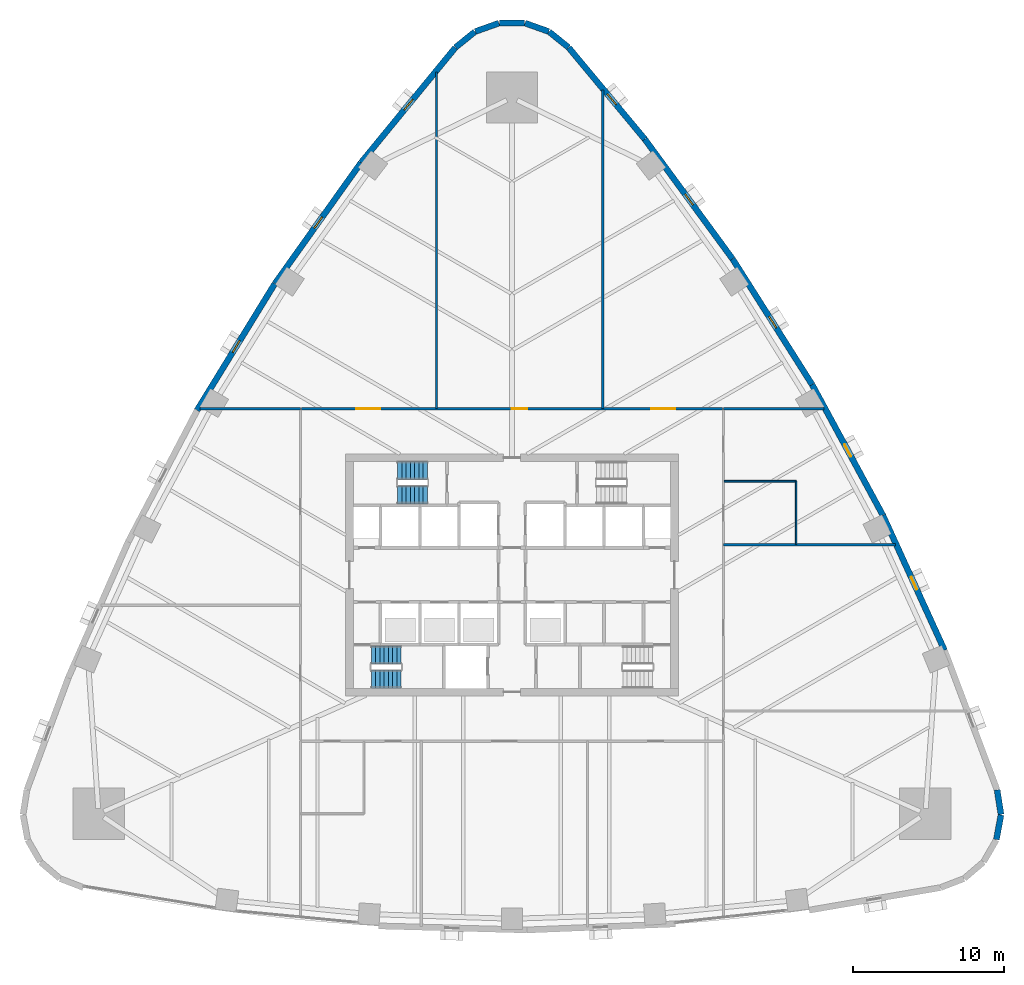
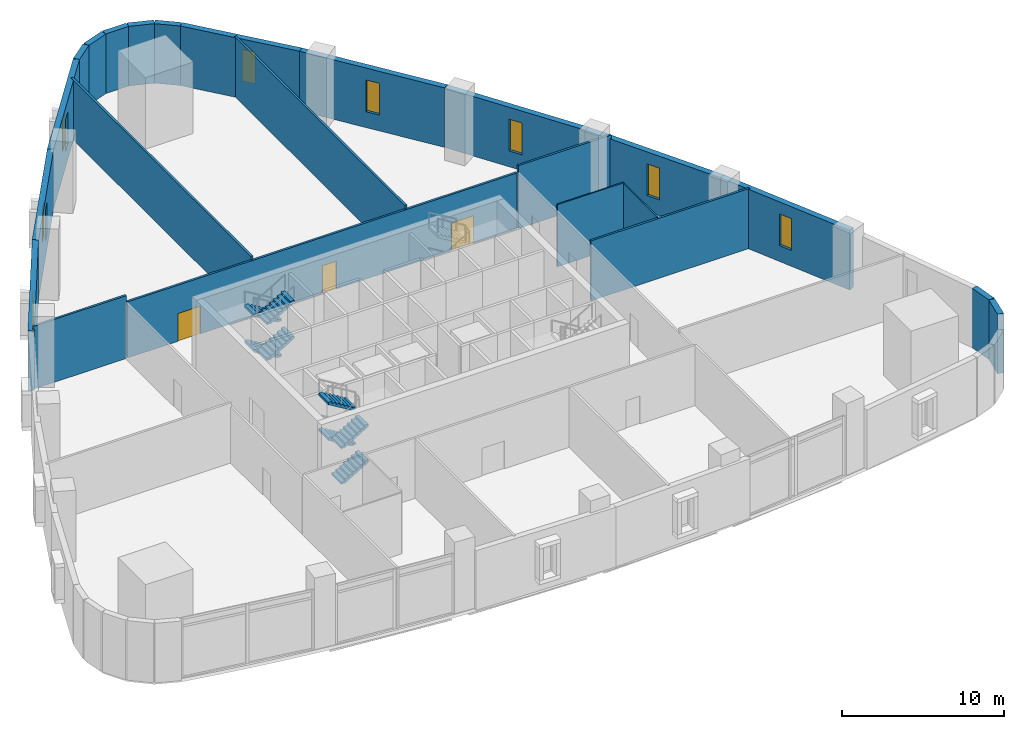
# One storey, part 9 of 14: 23 walls, 8 stair flights, 8 windows, 3 doors, 11 openings, 2 elements without a shape of their own.
"""IFC4 building model written with IfcOpenShell, lengths in metres."""

import ifcopenshell
import ifcopenshell.guid

model = None  # the IFC model being written
_history = None  # IfcOwnerHistory: only IFC2X3 demands one
_inside = {}  # id of a spatial element -> (the spatial element, [elements in it])
_under = {}  # id of a project, library or spatial element -> (it, [spatial elements below it])
_declared = {}  # id of a project -> (the project, [libraries it declares])
_typed = {}  # id of a type object -> (the type object, [elements of that type])
_made_of = {}  # id of a material, layer set ... -> (it, [elements and type objects made of it])


def new_model(schema):
    """Start an empty IFC model of exactly this schema.

    Asked for "IFC4X3", IfcOpenShell would pick the latest addendum, in which some entities
    have other attributes; the version numbers below select the first issue.
    IFC2X3 requires an IfcOwnerHistory on every rooted entity: one is made here for all.
    """
    global model, _history
    if schema == "IFC4X3":
        model = ifcopenshell.file(schema_version=(4, 3, 0, 0))
    else:
        model = ifcopenshell.file(schema=schema)
    _inside.clear()
    _under.clear()
    _declared.clear()
    _typed.clear()
    _made_of.clear()
    _history = None
    if model.schema == "IFC2X3":
        org = make("IfcOrganization", Name="unknown")
        user = make(
            "IfcPersonAndOrganization",
            ThePerson=make("IfcPerson", FamilyName="unknown"),
            TheOrganization=org,
        )
        app = make(
            "IfcApplication",
            ApplicationDeveloper=org,
            Version="unknown",
            ApplicationFullName="unknown",
            ApplicationIdentifier="unknown",
        )
        _history = make(
            "IfcOwnerHistory",
            OwningUser=user,
            OwningApplication=app,
            ChangeAction="ADDED",
            CreationDate=0,
        )
    return model


def make(cls, **values):
    """One entity of the class cls with the attributes given. An attribute that is None is left unset."""
    return model.create_entity(
        cls, **{name: value for name, value in values.items() if value is not None}
    )


def rooted(cls, **values):
    """An entity with a GlobalId (a new one), such as an element, a storey or a relation."""
    return make(cls, GlobalId=ifcopenshell.guid.new(), OwnerHistory=_history, **values)


def si_unit(unit_type, name, prefix=None):
    """IfcSIUnit, for example si_unit("LENGTHUNIT", "METRE", prefix="MILLI")."""
    return make("IfcSIUnit", UnitType=unit_type, Prefix=prefix, Name=name)


def assignment(units):
    """IfcUnitAssignment: the units of a project."""
    return None if units is None else make("IfcUnitAssignment", Units=units)


def point(xyz):
    """IfcCartesianPoint."""
    return None if xyz is None else make("IfcCartesianPoint", Coordinates=xyz)


def direction(xyz):
    """IfcDirection."""
    return None if xyz is None else make("IfcDirection", DirectionRatios=xyz)


def frame(location, z_axis=None, x_axis=None):
    """IfcAxis2Placement3D, a coordinate frame: its origin and axes. An axis left out is left unset."""
    return make(
        "IfcAxis2Placement3D",
        Location=point(location),
        Axis=direction(z_axis),
        RefDirection=direction(x_axis),
    )


def frame_2d(location, x_axis=None):
    """IfcAxis2Placement2D, a coordinate frame in the plane: its origin and x axis."""
    return make(
        "IfcAxis2Placement2D", Location=point(location), RefDirection=direction(x_axis)
    )


def origin():
    """The frame at (0, 0, 0) with its axes left unset."""
    return frame((0.0, 0.0, 0.0))


def place(relative_to, where):
    """IfcLocalPlacement: puts the frame where relative to a parent placement (None: the world)."""
    return make(
        "IfcLocalPlacement", PlacementRelTo=relative_to, RelativePlacement=where
    )


def context(
    kind, dimensions, precision=None, world=None, true_north=None, identifier=None
):
    """IfcGeometricRepresentationContext, for example the 3D "Model" context."""
    return make(
        "IfcGeometricRepresentationContext",
        ContextIdentifier=identifier,
        ContextType=kind,
        CoordinateSpaceDimension=dimensions,
        Precision=precision,
        WorldCoordinateSystem=world,
        TrueNorth=true_north,
    )


def subcontext(parent, identifier, kind, view, scale=None):
    """IfcGeometricRepresentationSubContext, for example "Body" below "Model"."""
    return make(
        "IfcGeometricRepresentationSubContext",
        ContextIdentifier=identifier,
        ContextType=kind,
        ParentContext=parent,
        TargetScale=scale,
        TargetView=view,
    )


def project(units=None, contexts=None):
    """IfcProject with its units and contexts."""
    return rooted(
        "IfcProject",
        Name="project",
        RepresentationContexts=contexts,
        UnitsInContext=assignment(units),
    )


def spatial(cls, under=None, at=None, **own):
    """A site, building, storey or space (cls), placed at a placement, below another one or the project."""
    s = rooted(cls, ObjectPlacement=at, **own)
    if under is not None:
        _under.setdefault(under.id(), (under, []))[1].append(s)
    return s


def polyline(points):
    """IfcPolyline through the points."""
    return make("IfcPolyline", Points=[point(p) for p in points])


def profile(cls, at=None, kind="AREA", **sizes):
    """A parametric profile (cls). Its sizes go by their IFC names, for example OverallWidth=200.0."""
    return make(cls, ProfileType=kind, Position=at, **sizes)


def rectangle(**sizes):
    """IfcRectangleProfileDef."""
    return profile("IfcRectangleProfileDef", **sizes)


def outline(outer, holes=None, kind="AREA"):
    """IfcArbitraryClosedProfileDef: a profile drawn as a closed curve; with holes, ...WithVoids."""
    if holes is None:
        return make("IfcArbitraryClosedProfileDef", ProfileType=kind, OuterCurve=outer)
    return make(
        "IfcArbitraryProfileDefWithVoids",
        ProfileType=kind,
        OuterCurve=outer,
        InnerCurves=holes,
    )


def extrude(swept, where, along, depth):
    """IfcExtrudedAreaSolid: the profile swept, set in the frame where, extruded along a direction by depth."""
    return make(
        "IfcExtrudedAreaSolid",
        SweptArea=swept,
        Position=where,
        ExtrudedDirection=direction(along),
        Depth=depth,
    )


def shape(context_of_items, identifier, shape_type, items):
    """IfcShapeRepresentation: the items that make up one representation, for example the "Body"."""
    return make(
        "IfcShapeRepresentation",
        ContextOfItems=context_of_items,
        RepresentationIdentifier=identifier,
        RepresentationType=shape_type,
        Items=items,
    )


def material(Name=None, Category=None):
    """IfcMaterial."""
    return make("IfcMaterial", Name=Name, Category=Category)


def layer(
    of_material, thickness, ventilated=None, Name=None, Category=None, Priority=None
):
    """IfcMaterialLayer: one layer of a wall or slab, of a material (None: an air gap)."""
    return make(
        "IfcMaterialLayer",
        Material=of_material,
        LayerThickness=thickness,
        IsVentilated=ventilated,
        Name=Name,
        Category=Category,
        Priority=Priority,
    )


def layer_set(layers, Name=None):
    """IfcMaterialLayerSet."""
    return make("IfcMaterialLayerSet", MaterialLayers=layers, LayerSetName=Name)


def made_of(thing, what):
    """Note that an element or type object is made of a material, layer set ...; save() writes the relation."""
    if what is not None:
        _made_of.setdefault(what.id(), (what, []))[1].append(thing)
    return thing


def type_object(cls, material=None, **own):
    """A type object (cls), such as IfcWallType, which elements share."""
    return made_of(rooted(cls, **own), material)


def element(
    cls,
    number,
    at=None,
    inside=None,
    cuts=None,
    type_object=None,
    material=None,
    context=None,
    identifier="Body",
    shape_type=None,
    held_by="IfcProductDefinitionShape",
    body=None,
    shapes=None,
    **own,
):
    """One element of the class cls, such as IfcWall. Its Tag is "e" and its number.

    at: its placement. inside: the storey or other place that contains it. cuts: it is an
    opening in that element (IfcRelVoidsElement). A single representation is given by context,
    identifier, shape_type and body (its items); several are given by shapes. held_by: the class
    of the entity that holds the representations. save() writes the other relations.
    """
    e = rooted(cls, Tag="e%d" % number, ObjectPlacement=at, **own)
    if body is not None:
        shapes = [shape(context, identifier, shape_type, body)]
    if shapes is not None:
        e.Representation = make(held_by, Representations=shapes)
    if inside is not None:
        _inside.setdefault(inside.id(), (inside, []))[1].append(e)
    if cuts is not None:
        rooted(
            "IfcRelVoidsElement", RelatingBuildingElement=cuts, RelatedOpeningElement=e
        )
    if type_object is not None:
        _typed.setdefault(type_object.id(), (type_object, []))[1].append(e)
    return made_of(e, material)


def fill(opening, filler):
    """IfcRelFillsElement: the door or window that sits in an opening."""
    return rooted(
        "IfcRelFillsElement",
        RelatingOpeningElement=opening,
        RelatedBuildingElement=filler,
    )


def aggregate(whole, parts):
    """IfcRelAggregates: a whole, such as a stair, and the parts it consists of."""
    return rooted("IfcRelAggregates", RelatingObject=whole, RelatedObjects=parts)


def save(model, path):
    """Write the relations noted so far, then the file.

    IfcRelAggregates (storeys below a building ...), IfcRelContainedInSpatialStructure (elements
    in a storey), IfcRelDefinesByType, IfcRelAssociatesMaterial and IfcRelDeclares: one each for
    every whole, place, type object, material and project.
    """
    for whole, parts in _under.values():
        aggregate(whole, parts)
    for where, things in _inside.values():
        rooted(
            "IfcRelContainedInSpatialStructure",
            RelatedElements=things,
            RelatingStructure=where,
        )
    for kind, things in _typed.values():
        rooted("IfcRelDefinesByType", RelatedObjects=things, RelatingType=kind)
    for what, things in _made_of.values():
        rooted("IfcRelAssociatesMaterial", RelatedObjects=things, RelatingMaterial=what)
    for by, libraries in _declared.values():
        rooted("IfcRelDeclares", RelatingContext=by, RelatedDefinitions=libraries)
    model.write(path)


model = new_model("IFC4")

# Units and contexts
model_context = context("Model", 3, precision=1e-05, world=origin(), true_north=direction((0.0, 1.0)))
body_context = subcontext(model_context, "Body", "Model", "MODEL_VIEW")
ifc_project = project(units=[si_unit("LENGTHUNIT", "METRE"), si_unit("AREAUNIT", "SQUARE_METRE"), si_unit("VOLUMEUNIT", "CUBIC_METRE"), si_unit("PLANEANGLEUNIT", "RADIAN"), si_unit("MASSUNIT", "GRAM", prefix="KILO")], contexts=[model_context])

# Site, building, storey
site_placement = place(None, origin())
site = spatial("IfcSite", under=ifc_project, at=site_placement, CompositionType="ELEMENT")
building_placement = place(site_placement, origin())
building = spatial("IfcBuilding", under=site, at=building_placement, Name="Sierra Prisma Convention Tower", CompositionType="ELEMENT")
storey_placement = place(building_placement, frame((0.0, 0.0, 16.800048828125)))
storey = spatial("IfcBuildingStorey", under=building, at=storey_placement, Name="L02", CompositionType="ELEMENT", Elevation=16.800048828125)

# Walls
ifc_material_1 = material(Name="Gypsum board partition", Category="gypsum")
ifc_layer_1 = layer(ifc_material_1, 0.10009765625)
ifc_layer_set_1 = layer_set([ifc_layer_1], Name="Bathroom partition 100")
wall_type_1 = type_object("IfcWallType", Name="Bathroom partition 100", PredefinedType="PARTITIONING", material=ifc_layer_set_1)
wall_1_placement = place(storey_placement, frame((14.030029296875, 6.199951171875, 0.0), z_axis=(0.0, 0.0, 1.0), x_axis=(1.0, 0.0, 0.0)))
element("IfcWall", 1, at=wall_1_placement, inside=storey, type_object=wall_type_1, Name="Partition L02 bath 3", PredefinedType="PARTITIONING", context=body_context, shape_type="SweptSolid", body=[
    extrude(rectangle(XDim=4.77001953125, YDim=0.10009765625, at=frame_2d((2.385009765625, 0.0))), origin(), (0.0, 0.0, 1.0), 4.69287109375),
])
wall_2_placement = place(storey_placement, frame((18.800048828125, 6.199951171875, 0.0), z_axis=(0.0, 0.0, 1.0), x_axis=(0.0, -1.0, 0.0)))
element("IfcWall", 2, at=wall_2_placement, inside=storey, type_object=wall_type_1, Name="Partition L02 bath 4", PredefinedType="PARTITIONING", context=body_context, shape_type="SweptSolid", body=[
    extrude(rectangle(XDim=4.169921875, YDim=0.10009765625, at=frame_2d((2.0849609375, 0.0))), origin(), (0.0, 0.0, 1.0), 4.616943359375),
])

# Wall, openings, doors
ifc_material_2 = material(Name="Gypsum board partition", Category="gypsum")
ifc_layer_2 = layer(ifc_material_2, 0.14990234375)
ifc_layer_set_2 = layer_set([ifc_layer_2], Name="Corridor wall 150 gypsum EI 60")
wall_type_2 = type_object("IfcWallType", Name="Corridor wall 150 gypsum EI 60", PredefinedType="PARTITIONING", material=ifc_layer_set_2)
wall_3_placement = place(storey_placement, frame((13.919921875, 11.0, 0.0), z_axis=(0.0, 0.0, 1.0), x_axis=(-1.0, 0.0, 0.0)))
wall_3 = element("IfcWall", 3, at=wall_3_placement, inside=storey, type_object=wall_type_2, Name="Partition L02 corr 3", PredefinedType="PARTITIONING", context=body_context, shape_type="SweptSolid", body=[
    extrude(rectangle(XDim=27.83984375, YDim=0.14990234375, at=frame_2d((13.919921875, 0.0))), origin(), (0.0, 0.0, 1.0), 4.2470703125),
])
opening_1_placement = place(wall_3_placement, frame((3.110107421875, 0.0, 0.0)))
opening_1 = element("IfcOpeningElement", 4, at=opening_1_placement, cuts=wall_3, Name="Opening L02-D025", PredefinedType="OPENING", context=body_context, shape_type="SweptSolid", body=[
    extrude(rectangle(XDim=1.60009765625, YDim=2.10009765625, at=frame_2d((0.800048828125, 1.050048828125))), frame((0.0, 0.074951171875, 0.0), z_axis=(0.0, -1.0, 0.0), x_axis=(1.0, 0.0, 0.0)), (0.0, 0.0, 1.0), 0.14990234375),
])
opening_2_placement = place(wall_3_placement, frame((12.919921875, 0.0, 0.0)))
opening_2 = element("IfcOpeningElement", 5, at=opening_2_placement, cuts=wall_3, Name="Opening L02-D026", PredefinedType="OPENING", context=body_context, shape_type="SweptSolid", body=[
    extrude(rectangle(XDim=1.0, YDim=2.10009765625, at=frame_2d((0.5, 1.050048828125))), frame((0.0, 0.074951171875, 0.0), z_axis=(0.0, -1.0, 0.0), x_axis=(1.0, 0.0, 0.0)), (0.0, 0.0, 1.0), 0.14990234375),
])
opening_3_placement = place(wall_3_placement, frame((22.6298828125, 0.0, 0.0)))
opening_3 = element("IfcOpeningElement", 6, at=opening_3_placement, cuts=wall_3, Name="Opening L02-D027", PredefinedType="OPENING", context=body_context, shape_type="SweptSolid", body=[
    extrude(rectangle(XDim=1.60009765625, YDim=2.10009765625, at=frame_2d((0.800048828125, 1.050048828125))), frame((0.0, 0.074951171875, 0.0), z_axis=(0.0, -1.0, 0.0), x_axis=(1.0, 0.0, 0.0)), (0.0, 0.0, 1.0), 0.14990234375),
])
ifc_material_3 = material(Name="Steel fire door leaf", Category="steel")
door_type_1 = type_object("IfcDoorType", Name="Door 1000x2100 FD30S", OperationType="SINGLE_SWING_LEFT", PredefinedType="DOOR", material=ifc_material_3)
door_1_placement = place(opening_2_placement, origin())
door_1 = element("IfcDoor", 7, at=door_1_placement, inside=storey, type_object=door_type_1, Name="Door L02 4", OperationType="SINGLE_SWING_LEFT", OverallHeight=2.10009765625, OverallWidth=1.0, PredefinedType="DOOR", context=body_context, shape_type="SweptSolid", body=[
    extrude(rectangle(XDim=1.0, YDim=2.10009765625, at=frame_2d((0.5, 1.050048828125))), frame((0.0, 0.02490234375, 0.0), z_axis=(0.0, -1.0, 0.0), x_axis=(1.0, 0.0, 0.0)), (0.0, 0.0, 1.0), 0.050048828125),
])
fill(opening_2, door_1)
ifc_material_4 = material(Name="Steel fire door leaf", Category="steel")
door_type_2 = type_object("IfcDoorType", Name="Door 1600x2100 FD30S", OperationType="DOUBLE_DOOR_SINGLE_SWING", PredefinedType="DOOR", material=ifc_material_4)
door_2_placement = place(opening_1_placement, origin())
door_2 = element("IfcDoor", 8, at=door_2_placement, inside=storey, type_object=door_type_2, Name="Door L02 3", OperationType="DOUBLE_DOOR_SINGLE_SWING", OverallHeight=2.10009765625, OverallWidth=1.60009765625, PredefinedType="DOOR", context=body_context, shape_type="SweptSolid", body=[
    extrude(rectangle(XDim=1.60009765625, YDim=2.10009765625, at=frame_2d((0.800048828125, 1.050048828125))), frame((0.0, 0.02490234375, 0.0), z_axis=(0.0, -1.0, 0.0), x_axis=(1.0, 0.0, 0.0)), (0.0, 0.0, 1.0), 0.050048828125),
])
fill(opening_1, door_2)
door_3_placement = place(opening_3_placement, origin())
door_3 = element("IfcDoor", 9, at=door_3_placement, inside=storey, type_object=door_type_2, Name="Door L02 5", OperationType="DOUBLE_DOOR_SINGLE_SWING", OverallHeight=2.10009765625, OverallWidth=1.60009765625, PredefinedType="DOOR", context=body_context, shape_type="SweptSolid", body=[
    extrude(rectangle(XDim=1.60009765625, YDim=2.10009765625, at=frame_2d((0.800048828125, 1.050048828125))), frame((0.0, 0.02490234375, 0.0), z_axis=(0.0, -1.0, 0.0), x_axis=(1.0, 0.0, 0.0)), (0.0, 0.0, 1.0), 0.050048828125),
])
fill(opening_3, door_3)

# Walls
ifc_material_5 = material(Name="Gypsum board partition", Category="gypsum")
ifc_layer_3 = layer(ifc_material_5, 0.14990234375)
ifc_layer_set_3 = layer_set([ifc_layer_3], Name="Party wall 150 gypsum")
wall_type_3 = type_object("IfcWallType", Name="Party wall 150 gypsum", PredefinedType="PARTITIONING", material=ifc_layer_set_3)
wall_4_placement = place(storey_placement, frame((-14.0, 11.0, 0.0), z_axis=(0.0, 0.0, 1.0), x_axis=(-1.0, 0.0, 0.0)))
element("IfcWall", 10, at=wall_4_placement, inside=storey, type_object=wall_type_3, Name="Partition L02 party 2", PredefinedType="PARTITIONING", context=body_context, shape_type="SweptSolid", body=[
    extrude(rectangle(XDim=6.64208984375, YDim=0.14990234375, at=frame_2d((3.321044921875, 0.0))), origin(), (0.0, 0.0, 1.0), 4.75),
])
wall_5_placement = place(storey_placement, frame((-5.0, 11.0, 0.0), z_axis=(0.0, 0.0, 1.0), x_axis=(0.0, 1.0, 0.0)))
element("IfcWall", 11, at=wall_5_placement, inside=storey, type_object=wall_type_3, Name="Partition L02 party 5", PredefinedType="PARTITIONING", context=body_context, shape_type="SweptSolid", body=[
    extrude(rectangle(XDim=22.26708984375, YDim=0.14990234375, at=frame_2d((11.133544921875, 0.0))), origin(), (0.0, 0.0, 1.0), 4.533935546875),
])
wall_6_placement = place(storey_placement, frame((6.0, 11.0, 0.0), z_axis=(0.0, 0.0, 1.0), x_axis=(0.0, 1.0, 0.0)))
element("IfcWall", 12, at=wall_6_placement, inside=storey, type_object=wall_type_3, Name="Partition L02 party 7", PredefinedType="PARTITIONING", context=body_context, shape_type="SweptSolid", body=[
    extrude(rectangle(XDim=21.080810546875, YDim=0.14990234375, at=frame_2d((10.54052734375, 0.0))), origin(), (0.0, 0.0, 1.0), 4.533935546875),
])
wall_7_placement = place(storey_placement, frame((25.361328125, 2.0, 0.0), z_axis=(0.0, 0.0, 1.0), x_axis=(-1.0, 0.0, 0.0)))
element("IfcWall", 13, at=wall_7_placement, inside=storey, type_object=wall_type_3, Name="Partition L02 party 10", PredefinedType="PARTITIONING", context=body_context, shape_type="SweptSolid", body=[
    extrude(rectangle(XDim=11.361328125, YDim=0.14990234375, at=frame_2d((5.6806640625, 0.0))), origin(), (0.0, 0.0, 1.0), 4.533935546875),
])
wall_8_placement = place(storey_placement, frame((14.0, 11.0, 0.0), z_axis=(0.0, 0.0, 1.0), x_axis=(1.0, 0.0, 0.0)))
element("IfcWall", 14, at=wall_8_placement, inside=storey, type_object=wall_type_3, Name="Partition L02 party 11", PredefinedType="PARTITIONING", context=body_context, shape_type="SweptSolid", body=[
    extrude(rectangle(XDim=6.64208984375, YDim=0.14990234375, at=frame_2d((3.321044921875, 0.0))), origin(), (0.0, 0.0, 1.0), 4.75),
])
ifc_material_6 = material(Name="Concrete C40/50, terracotta plaster finish", Category="masonry")
ifc_layer_4 = layer(ifc_material_6, 0.39990234375)
ifc_layer_set_4 = layer_set([ifc_layer_4], Name="Podium plastered wall 400")
wall_type_4 = type_object("IfcWallType", Name="Podium plastered wall 400", PredefinedType="STANDARD", material=ifc_layer_set_4)
wall_9_placement = place(storey_placement, frame((32.355224609375, -15.87841796875, 0.0), z_axis=(0.0, 0.0, 1.0), x_axis=(-0.182653168579, -0.983177410241, 0.0)))
element("IfcWall", 15, at=wall_9_placement, inside=storey, type_object=wall_type_4, Name="Podium wall L02 3", PredefinedType="STANDARD", context=body_context, shape_type="SweptSolid", body=[
    extrude(rectangle(XDim=1.65869140625, YDim=0.39990234375, at=frame_2d((0.829345703125, 0.0))), origin(), (0.0, 0.0, 1.0), 4.5),
])
wall_10_placement = place(storey_placement, frame((32.099365234375, -14.218505859375, 0.0), z_axis=(0.0, 0.0, 1.0), x_axis=(0.155711266073, -0.98780261268, 0.0)))
element("IfcWall", 16, at=wall_10_placement, inside=storey, type_object=wall_type_4, Name="Podium wall L02 4", PredefinedType="STANDARD", context=body_context, shape_type="SweptSolid", body=[
    extrude(rectangle(XDim=1.646240234375, YDim=0.39990234375, at=frame_2d((0.8232421875, 0.0))), origin(), (0.0, 0.0, 1.0), 4.5),
])

# Wall, opening, window
wall_11_placement = place(storey_placement, frame((24.541259765625, 3.951171875, 0.0), z_axis=(0.0, 0.0, 1.0), x_axis=(0.415399179946, -0.909639225902, 0.0)))
wall_11 = element("IfcWall", 17, at=wall_11_placement, inside=storey, type_object=wall_type_4, Name="Podium wall L02 6", PredefinedType="STANDARD", context=body_context, shape_type="SweptSolid", body=[
    extrude(rectangle(XDim=9.82568359375, YDim=0.39990234375, at=frame_2d((4.912841796875, 0.0))), origin(), (0.0, 0.0, 1.0), 4.5),
])
opening_4_placement = place(wall_11_placement, frame((4.5, 0.0, 1.199951171875)))
opening_4 = element("IfcOpeningElement", 18, at=opening_4_placement, cuts=wall_11, Name="Opening L02-W02", PredefinedType="OPENING", context=body_context, shape_type="SweptSolid", body=[
    extrude(rectangle(XDim=0.89990234375, YDim=2.39990234375, at=frame_2d((0.449951171875, 1.199951171875))), frame((0.0, 0.199951171875, 0.0), z_axis=(0.0, -1.0, 0.0), x_axis=(1.0, 0.0, 0.0)), (0.0, 0.0, 1.0), 0.39990234375),
])
ifc_material_7 = material(Name="Tinted glass, bronze aluminium frame", Category="aluminium")
window_type = type_object("IfcWindowType", Name="Podium slot window 900 x 2400", PartitioningType="SINGLE_PANEL", PredefinedType="WINDOW", material=ifc_material_7)
window_1_placement = place(opening_4_placement, origin())
window_1 = element("IfcWindow", 19, at=window_1_placement, inside=storey, type_object=window_type, Name="Slot window", OverallHeight=2.39990234375, OverallWidth=0.89990234375, PartitioningType="SINGLE_PANEL", PredefinedType="WINDOW", context=body_context, shape_type="SweptSolid", body=[
    extrude(rectangle(XDim=0.89990234375, YDim=2.39990234375, at=frame_2d((0.449951171875, 1.199951171875))), frame((0.0, 0.030029296875, 0.0), z_axis=(0.0, -1.0, 0.0), x_axis=(1.0, 0.0, 0.0)), (0.0, 0.0, 1.0), 0.06005859375),
])
fill(opening_4, window_1)

wall_12_placement = place(storey_placement, frame((19.858642578125, 12.596923828125, 0.0), z_axis=(0.0, 0.0, 1.0), x_axis=(0.476254331716, -0.879307575039, 0.0)))
wall_12 = element("IfcWall", 20, at=wall_12_placement, inside=storey, type_object=wall_type_4, Name="Podium wall L02 7", PredefinedType="STANDARD", context=body_context, shape_type="SweptSolid", body=[
    extrude(rectangle(XDim=9.825439453125, YDim=0.39990234375, at=frame_2d((4.91259765625, 0.0))), origin(), (0.0, 0.0, 1.0), 4.5),
])
opening_5_placement = place(wall_12_placement, frame((4.5, 0.0, 1.199951171875)))
opening_5 = element("IfcOpeningElement", 21, at=opening_5_placement, cuts=wall_12, Name="Opening L02-W03", PredefinedType="OPENING", context=body_context, shape_type="SweptSolid", body=[
    extrude(rectangle(XDim=0.89990234375, YDim=2.39990234375, at=frame_2d((0.449951171875, 1.199951171875))), frame((0.0, 0.199951171875, 0.0), z_axis=(0.0, -1.0, 0.0), x_axis=(1.0, 0.0, 0.0)), (0.0, 0.0, 1.0), 0.39990234375),
])
window_2_placement = place(opening_5_placement, origin())
window_2 = element("IfcWindow", 22, at=window_2_placement, inside=storey, type_object=window_type, Name="Slot window", OverallHeight=2.39990234375, OverallWidth=0.89990234375, PartitioningType="SINGLE_PANEL", PredefinedType="WINDOW", context=body_context, shape_type="SweptSolid", body=[
    extrude(rectangle(XDim=0.89990234375, YDim=2.39990234375, at=frame_2d((0.449951171875, 1.199951171875))), frame((0.0, 0.030029296875, 0.0), z_axis=(0.0, -1.0, 0.0), x_axis=(1.0, 0.0, 0.0)), (0.0, 0.0, 1.0), 0.06005859375),
])
fill(opening_5, window_2)

wall_13_placement = place(storey_placement, frame((14.599365234375, 20.904541015625, 0.0), z_axis=(0.0, 0.0, 1.0), x_axis=(0.534912566476, -0.844907418731, 0.0)))
wall_13 = element("IfcWall", 23, at=wall_13_placement, inside=storey, type_object=wall_type_4, Name="Podium wall L02 8", PredefinedType="STANDARD", context=body_context, shape_type="SweptSolid", body=[
    extrude(rectangle(XDim=9.82568359375, YDim=0.39990234375, at=frame_2d((4.912841796875, 0.0))), origin(), (0.0, 0.0, 1.0), 4.5),
])
opening_6_placement = place(wall_13_placement, frame((4.5, 0.0, 1.199951171875)))
opening_6 = element("IfcOpeningElement", 24, at=opening_6_placement, cuts=wall_13, Name="Opening L02-W04", PredefinedType="OPENING", context=body_context, shape_type="SweptSolid", body=[
    extrude(rectangle(XDim=0.89990234375, YDim=2.39990234375, at=frame_2d((0.449951171875, 1.199951171875))), frame((0.0, 0.199951171875, 0.0), z_axis=(0.0, -1.0, 0.0), x_axis=(1.0, 0.0, 0.0)), (0.0, 0.0, 1.0), 0.39990234375),
])
window_3_placement = place(opening_6_placement, origin())
window_3 = element("IfcWindow", 25, at=window_3_placement, inside=storey, type_object=window_type, Name="Slot window", OverallHeight=2.39990234375, OverallWidth=0.89990234375, PartitioningType="SINGLE_PANEL", PredefinedType="WINDOW", context=body_context, shape_type="SweptSolid", body=[
    extrude(rectangle(XDim=0.89990234375, YDim=2.39990234375, at=frame_2d((0.449951171875, 1.199951171875))), frame((0.0, 0.030029296875, 0.0), z_axis=(0.0, -1.0, 0.0), x_axis=(1.0, 0.0, 0.0)), (0.0, 0.0, 1.0), 0.06005859375),
])
fill(opening_6, window_3)

wall_14_placement = place(storey_placement, frame((8.78759765625, 28.835693359375, 0.0), z_axis=(0.0, 0.0, 1.0), x_axis=(0.591085715329, -0.806608750966, 0.0)))
wall_14 = element("IfcWall", 26, at=wall_14_placement, inside=storey, type_object=wall_type_4, Name="Podium wall L02 9", PredefinedType="STANDARD", context=body_context, shape_type="SweptSolid", body=[
    extrude(rectangle(XDim=9.82568359375, YDim=0.39990234375, at=frame_2d((4.912841796875, 0.0))), origin(), (0.0, 0.0, 1.0), 4.5),
])
opening_7_placement = place(wall_14_placement, frame((4.5, 0.0, 1.199951171875)))
opening_7 = element("IfcOpeningElement", 27, at=opening_7_placement, cuts=wall_14, Name="Opening L02-W05", PredefinedType="OPENING", context=body_context, shape_type="SweptSolid", body=[
    extrude(rectangle(XDim=0.89990234375, YDim=2.39990234375, at=frame_2d((0.449951171875, 1.199951171875))), frame((0.0, 0.199951171875, 0.0), z_axis=(0.0, -1.0, 0.0), x_axis=(1.0, 0.0, 0.0)), (0.0, 0.0, 1.0), 0.39990234375),
])
window_4_placement = place(opening_7_placement, origin())
window_4 = element("IfcWindow", 28, at=window_4_placement, inside=storey, type_object=window_type, Name="Slot window", OverallHeight=2.39990234375, OverallWidth=0.89990234375, PartitioningType="SINGLE_PANEL", PredefinedType="WINDOW", context=body_context, shape_type="SweptSolid", body=[
    extrude(rectangle(XDim=0.89990234375, YDim=2.39990234375, at=frame_2d((0.449951171875, 1.199951171875))), frame((0.0, 0.030029296875, 0.0), z_axis=(0.0, -1.0, 0.0), x_axis=(1.0, 0.0, 0.0)), (0.0, 0.0, 1.0), 0.06005859375),
])
fill(opening_7, window_4)

wall_15_placement = place(storey_placement, frame((3.75, 34.894287109375, 0.0), z_axis=(0.0, 0.0, 1.0), x_axis=(0.639357483443, -0.768909623015, 0.0)))
wall_15 = element("IfcWall", 29, at=wall_15_placement, inside=storey, type_object=wall_type_4, Name="Podium wall L02 10", PredefinedType="STANDARD", context=body_context, shape_type="SweptSolid", body=[
    extrude(rectangle(XDim=7.87353515625, YDim=0.39990234375, at=frame_2d((3.936767578125, 0.0))), origin(), (0.0, 0.0, 1.0), 4.5),
])
opening_8_placement = place(wall_15_placement, frame((4.0, 0.0, 1.199951171875)))
opening_8 = element("IfcOpeningElement", 30, at=opening_8_placement, cuts=wall_15, Name="Opening L02-W06", PredefinedType="OPENING", context=body_context, shape_type="SweptSolid", body=[
    extrude(rectangle(XDim=0.89990234375, YDim=2.39990234375, at=frame_2d((0.449951171875, 1.199951171875))), frame((0.0, 0.199951171875, 0.0), z_axis=(0.0, -1.0, 0.0), x_axis=(1.0, 0.0, 0.0)), (0.0, 0.0, 1.0), 0.39990234375),
])
window_5_placement = place(opening_8_placement, origin())
window_5 = element("IfcWindow", 31, at=window_5_placement, inside=storey, type_object=window_type, Name="Slot window", OverallHeight=2.39990234375, OverallWidth=0.89990234375, PartitioningType="SINGLE_PANEL", PredefinedType="WINDOW", context=body_context, shape_type="SweptSolid", body=[
    extrude(rectangle(XDim=0.89990234375, YDim=2.39990234375, at=frame_2d((0.449951171875, 1.199951171875))), frame((0.0, 0.030029296875, 0.0), z_axis=(0.0, -1.0, 0.0), x_axis=(1.0, 0.0, 0.0)), (0.0, 0.0, 1.0), 0.06005859375),
])
fill(opening_8, window_5)

# Walls
wall_16_placement = place(storey_placement, frame((2.455810546875, 35.943115234375, 0.0), z_axis=(0.0, 0.0, 1.0), x_axis=(0.77769018818, -0.628647732207, 0.0)))
element("IfcWall", 32, at=wall_16_placement, inside=storey, type_object=wall_type_4, Name="Podium wall L02 11", PredefinedType="STANDARD", context=body_context, shape_type="SweptSolid", body=[
    extrude(rectangle(XDim=1.646240234375, YDim=0.39990234375, at=frame_2d((0.8232421875, 0.0))), origin(), (0.0, 0.0, 1.0), 4.5),
])
for number, where, z_axis, x_axis, name in (
    (33, (0.86279296875, 36.5126953125, 0.0), (0.0, 0.0, 1.0), (0.942786347799, -0.333397514093, 0.0), "Podium wall L02 12"),
    (34, (-0.829345703125, 36.5185546875, 0.0), (0.0, 0.0, 1.0), (1.0, 0.0, 0.0), "Podium wall L02 13"),
    (35, (-2.426513671875, 35.959716796875, 0.0), (0.0, 0.0, 1.0), (0.942786347799, 0.333397514093, 0.0), "Podium wall L02 14"),
):
    element("IfcWall", number, at=place(storey_placement, frame(where, z_axis=z_axis, x_axis=x_axis)), inside=storey, type_object=wall_type_4, Name=name, PredefinedType="STANDARD", context=body_context, shape_type="SweptSolid", body=[
        extrude(rectangle(XDim=1.65869140625, YDim=0.39990234375, at=frame_2d((0.829345703125, 0.0))), origin(), (0.0, 0.0, 1.0), 4.5),
    ])
wall_17_placement = place(storey_placement, frame((-3.736083984375, 34.908203125, 0.0), z_axis=(0.0, 0.0, 1.0), x_axis=(0.77769018818, 0.628647732207, 0.0)))
element("IfcWall", 36, at=wall_17_placement, inside=storey, type_object=wall_type_4, Name="Podium wall L02 15", PredefinedType="STANDARD", context=body_context, shape_type="SweptSolid", body=[
    extrude(rectangle(XDim=1.646240234375, YDim=0.39990234375, at=frame_2d((0.8232421875, 0.0))), origin(), (0.0, 0.0, 1.0), 4.5),
])

# Wall, opening, window
wall_18_placement = place(storey_placement, frame((-9.98876953125, 27.28662109375, 0.0), z_axis=(0.0, 0.0, 1.0), x_axis=(0.634103626557, 0.773248078424, 0.0)))
wall_18 = element("IfcWall", 37, at=wall_18_placement, inside=storey, type_object=wall_type_4, Name="Podium wall L02 16", PredefinedType="STANDARD", context=body_context, shape_type="SweptSolid", body=[
    extrude(rectangle(XDim=9.837890625, YDim=0.39990234375, at=frame_2d((4.9189453125, 0.0))), origin(), (0.0, 0.0, 1.0), 4.5),
])
opening_9_placement = place(wall_18_placement, frame((4.5, 0.0, 1.199951171875)))
opening_9 = element("IfcOpeningElement", 38, at=opening_9_placement, cuts=wall_18, Name="Opening L02-W07", PredefinedType="OPENING", context=body_context, shape_type="SweptSolid", body=[
    extrude(rectangle(XDim=0.89990234375, YDim=2.39990234375, at=frame_2d((0.449951171875, 1.199951171875))), frame((0.0, 0.199951171875, 0.0), z_axis=(0.0, -1.0, 0.0), x_axis=(1.0, 0.0, 0.0)), (0.0, 0.0, 1.0), 0.39990234375),
])
window_6_placement = place(opening_9_placement, origin())
window_6 = element("IfcWindow", 39, at=window_6_placement, inside=storey, type_object=window_type, Name="Slot window", OverallHeight=2.39990234375, OverallWidth=0.89990234375, PartitioningType="SINGLE_PANEL", PredefinedType="WINDOW", context=body_context, shape_type="SweptSolid", body=[
    extrude(rectangle(XDim=0.89990234375, YDim=2.39990234375, at=frame_2d((0.449951171875, 1.199951171875))), frame((0.0, 0.030029296875, 0.0), z_axis=(0.0, -1.0, 0.0), x_axis=(1.0, 0.0, 0.0)), (0.0, 0.0, 1.0), 0.06005859375),
])
fill(opening_9, window_6)

wall_19_placement = place(storey_placement, frame((-15.6923828125, 19.277587890625, 0.0), z_axis=(0.0, 0.0, 1.0), x_axis=(0.580062373049, 0.814572061498, 0.0)))
wall_19 = element("IfcWall", 40, at=wall_19_placement, inside=storey, type_object=wall_type_4, Name="Podium wall L02 17", PredefinedType="STANDARD", context=body_context, shape_type="SweptSolid", body=[
    extrude(rectangle(XDim=9.82568359375, YDim=0.39990234375, at=frame_2d((4.912841796875, 0.0))), origin(), (0.0, 0.0, 1.0), 4.5),
])
opening_10_placement = place(wall_19_placement, frame((4.5, 0.0, 1.199951171875)))
opening_10 = element("IfcOpeningElement", 41, at=opening_10_placement, cuts=wall_19, Name="Opening L02-W08", PredefinedType="OPENING", context=body_context, shape_type="SweptSolid", body=[
    extrude(rectangle(XDim=0.89990234375, YDim=2.39990234375, at=frame_2d((0.449951171875, 1.199951171875))), frame((0.0, 0.199951171875, 0.0), z_axis=(0.0, -1.0, 0.0), x_axis=(1.0, 0.0, 0.0)), (0.0, 0.0, 1.0), 0.39990234375),
])
window_7_placement = place(opening_10_placement, origin())
window_7 = element("IfcWindow", 42, at=window_7_placement, inside=storey, type_object=window_type, Name="Slot window", OverallHeight=2.39990234375, OverallWidth=0.89990234375, PartitioningType="SINGLE_PANEL", PredefinedType="WINDOW", context=body_context, shape_type="SweptSolid", body=[
    extrude(rectangle(XDim=0.89990234375, YDim=2.39990234375, at=frame_2d((0.449951171875, 1.199951171875))), frame((0.0, 0.030029296875, 0.0), z_axis=(0.0, -1.0, 0.0), x_axis=(1.0, 0.0, 0.0)), (0.0, 0.0, 1.0), 0.06005859375),
])
fill(opening_10, window_7)

wall_20_placement = place(storey_placement, frame((-20.838623046875, 10.899658203125, 0.0), z_axis=(0.0, 0.0, 1.0), x_axis=(0.523369396098, 0.85210590611, 0.0)))
wall_20 = element("IfcWall", 43, at=wall_20_placement, inside=storey, type_object=wall_type_4, Name="Podium wall L02 18", PredefinedType="STANDARD", context=body_context, shape_type="SweptSolid", body=[
    extrude(rectangle(XDim=9.825439453125, YDim=0.39990234375, at=frame_2d((4.91259765625, 0.0))), origin(), (0.0, 0.0, 1.0), 4.5),
])
opening_11_placement = place(wall_20_placement, frame((4.5, 0.0, 1.199951171875)))
opening_11 = element("IfcOpeningElement", 44, at=opening_11_placement, cuts=wall_20, Name="Opening L02-W09", PredefinedType="OPENING", context=body_context, shape_type="SweptSolid", body=[
    extrude(rectangle(XDim=0.89990234375, YDim=2.39990234375, at=frame_2d((0.449951171875, 1.199951171875))), frame((0.0, 0.199951171875, 0.0), z_axis=(0.0, -1.0, 0.0), x_axis=(1.0, 0.0, 0.0)), (0.0, 0.0, 1.0), 0.39990234375),
])
window_8_placement = place(opening_11_placement, origin())
window_8 = element("IfcWindow", 45, at=window_8_placement, inside=storey, type_object=window_type, Name="Slot window", OverallHeight=2.39990234375, OverallWidth=0.89990234375, PartitioningType="SINGLE_PANEL", PredefinedType="WINDOW", context=body_context, shape_type="SweptSolid", body=[
    extrude(rectangle(XDim=0.89990234375, YDim=2.39990234375, at=frame_2d((0.449951171875, 1.199951171875))), frame((0.0, 0.030029296875, 0.0), z_axis=(0.0, -1.0, 0.0), x_axis=(1.0, 0.0, 0.0)), (0.0, 0.0, 1.0), 0.06005859375),
])
fill(opening_11, window_8)

# Stair, stair flights
ifc_material_8 = material(Name="Concrete C30/37", Category="concrete")
stair_type = type_object("IfcStairType", Name="Stair dog-leg 1200 RC", PredefinedType="HALF_TURN_STAIR", material=ifc_material_8)
stair_1_placement = place(storey_placement, origin())
stair_1 = element("IfcStair", 46, at=stair_1_placement, inside=storey, type_object=stair_type, Name="L02 S1", PredefinedType="HALF_TURN_STAIR")
ifc_material_9 = material(Name="Concrete C30/37", Category="concrete")
stair_flight_type = type_object("IfcStairFlightType", Name="Stair flight RC 1200", PredefinedType="STRAIGHT", material=ifc_material_9)
stair_flight_1_placement = place(storey_placement, frame((-9.300048828125, -6.89990234375, 0.0), z_axis=(0.0, 0.0, 1.0), x_axis=(1.0, 0.0, 0.0)))
stair_flight_1 = element("IfcStairFlight", 47, at=stair_flight_1_placement, type_object=stair_flight_type, Name="S1 flight 1", NumberOfRisers=8, NumberOfTreads=7, PredefinedType="STRAIGHT", RiserHeight=0.16875, TreadLength=0.28, context=body_context, shape_type="SweptSolid", body=[
    extrude(outline(polyline([(0.0, 0.0), (0.0, 0.168701171875), (0.280029296875, 0.168701171875), (0.280029296875, 0.33740234375), (0.56005859375, 0.33740234375), (0.56005859375, 0.50634765625), (0.840087890625, 0.50634765625), (0.840087890625, 0.675048828125), (1.1201171875, 0.675048828125), (1.1201171875, 0.84375), (1.39990234375, 0.84375), (1.39990234375, 1.012451171875), (1.679931640625, 1.012451171875), (1.679931640625, 1.18115234375), (1.9599609375, 1.18115234375), (1.9599609375, 1.35009765625), (1.9599609375, 1.00634765625), (0.29052734375, 0.0), (0.0, 0.0)])), frame((0.0, 0.60009765625, 0.0), z_axis=(0.0, -1.0, 0.0), x_axis=(1.0, 0.0, 0.0)), (0.0, 0.0, 1.0), 1.199951171875),
])
stair_flight_2_placement = place(storey_placement, frame((-7.340087890625, -5.300048828125, 1.349853515625), z_axis=(0.0, 0.0, 1.0), x_axis=(-1.0, 0.0, 0.0)))
stair_flight_2 = element("IfcStairFlight", 48, at=stair_flight_2_placement, type_object=stair_flight_type, Name="S1 flight 2", NumberOfRisers=8, NumberOfTreads=7, PredefinedType="STRAIGHT", RiserHeight=0.16875, TreadLength=0.28, context=body_context, shape_type="SweptSolid", body=[
    extrude(outline(polyline([(0.0, 0.0), (0.0, 0.168701171875), (0.280029296875, 0.168701171875), (0.280029296875, 0.33740234375), (0.56005859375, 0.33740234375), (0.56005859375, 0.50634765625), (0.840087890625, 0.50634765625), (0.840087890625, 0.675048828125), (1.1201171875, 0.675048828125), (1.1201171875, 0.84375), (1.39990234375, 0.84375), (1.39990234375, 1.012451171875), (1.679931640625, 1.012451171875), (1.679931640625, 1.18115234375), (1.9599609375, 1.18115234375), (1.9599609375, 1.35009765625), (1.9599609375, 1.00634765625), (0.29052734375, 0.0), (0.0, 0.0)])), frame((0.0, 0.60009765625, 0.0), z_axis=(0.0, -1.0, 0.0), x_axis=(1.0, 0.0, 0.0)), (0.0, 0.0, 1.0), 1.199951171875),
])
stair_flight_3_placement = place(storey_placement, frame((-9.300048828125, -6.89990234375, 2.699951171875), z_axis=(0.0, 0.0, 1.0), x_axis=(1.0, 0.0, 0.0)))
stair_flight_3 = element("IfcStairFlight", 49, at=stair_flight_3_placement, type_object=stair_flight_type, Name="S1 flight 3", NumberOfRisers=8, NumberOfTreads=7, PredefinedType="STRAIGHT", RiserHeight=0.16875, TreadLength=0.28, context=body_context, shape_type="SweptSolid", body=[
    extrude(outline(polyline([(0.0, 0.0), (0.0, 0.168701171875), (0.280029296875, 0.168701171875), (0.280029296875, 0.33740234375), (0.56005859375, 0.33740234375), (0.56005859375, 0.50634765625), (0.840087890625, 0.50634765625), (0.840087890625, 0.675048828125), (1.1201171875, 0.675048828125), (1.1201171875, 0.84375), (1.39990234375, 0.84375), (1.39990234375, 1.012451171875), (1.679931640625, 1.012451171875), (1.679931640625, 1.18115234375), (1.9599609375, 1.18115234375), (1.9599609375, 1.35009765625), (1.9599609375, 1.00634765625), (0.29052734375, 0.0), (0.0, 0.0)])), frame((0.0, 0.60009765625, 0.0), z_axis=(0.0, -1.0, 0.0), x_axis=(1.0, 0.0, 0.0)), (0.0, 0.0, 1.0), 1.199951171875),
])
stair_flight_4_placement = place(storey_placement, frame((-7.340087890625, -5.300048828125, 4.050048828125), z_axis=(0.0, 0.0, 1.0), x_axis=(-1.0, 0.0, 0.0)))
stair_flight_4 = element("IfcStairFlight", 50, at=stair_flight_4_placement, type_object=stair_flight_type, Name="S1 flight 4", NumberOfRisers=8, NumberOfTreads=7, PredefinedType="STRAIGHT", RiserHeight=0.16875, TreadLength=0.28, context=body_context, shape_type="SweptSolid", body=[
    extrude(outline(polyline([(0.0, 0.0), (0.0, 0.168701171875), (0.280029296875, 0.168701171875), (0.280029296875, 0.33740234375), (0.56005859375, 0.33740234375), (0.56005859375, 0.50634765625), (0.840087890625, 0.50634765625), (0.840087890625, 0.675048828125), (1.1201171875, 0.675048828125), (1.1201171875, 0.84375), (1.39990234375, 0.84375), (1.39990234375, 1.012451171875), (1.679931640625, 1.012451171875), (1.679931640625, 1.18115234375), (1.9599609375, 1.18115234375), (1.9599609375, 1.35009765625), (1.9599609375, 1.00634765625), (0.29052734375, 0.0), (0.0, 0.0)])), frame((0.0, 0.60009765625, 0.0), z_axis=(0.0, -1.0, 0.0), x_axis=(1.0, 0.0, 0.0)), (0.0, 0.0, 1.0), 1.199951171875),
])
aggregate(stair_1, [stair_flight_1, stair_flight_2, stair_flight_3, stair_flight_4])

stair_2_placement = place(storey_placement, origin())
stair_2 = element("IfcStair", 51, at=stair_2_placement, inside=storey, type_object=stair_type, Name="L02 S3", PredefinedType="HALF_TURN_STAIR")
stair_flight_5_placement = place(storey_placement, frame((-5.60009765625, 6.89990234375, 0.0), z_axis=(0.0, 0.0, 1.0), x_axis=(-1.0, 0.0, 0.0)))
stair_flight_5 = element("IfcStairFlight", 52, at=stair_flight_5_placement, type_object=stair_flight_type, Name="S3 flight 1", NumberOfRisers=8, NumberOfTreads=7, PredefinedType="STRAIGHT", RiserHeight=0.16875, TreadLength=0.28, context=body_context, shape_type="SweptSolid", body=[
    extrude(outline(polyline([(0.0, 0.0), (0.0, 0.168701171875), (0.280029296875, 0.168701171875), (0.280029296875, 0.33740234375), (0.56005859375, 0.33740234375), (0.56005859375, 0.50634765625), (0.840087890625, 0.50634765625), (0.840087890625, 0.675048828125), (1.1201171875, 0.675048828125), (1.1201171875, 0.84375), (1.39990234375, 0.84375), (1.39990234375, 1.012451171875), (1.679931640625, 1.012451171875), (1.679931640625, 1.18115234375), (1.9599609375, 1.18115234375), (1.9599609375, 1.35009765625), (1.9599609375, 1.00634765625), (0.29052734375, 0.0), (0.0, 0.0)])), frame((0.0, 0.60009765625, 0.0), z_axis=(0.0, -1.0, 0.0), x_axis=(1.0, 0.0, 0.0)), (0.0, 0.0, 1.0), 1.199951171875),
])
stair_flight_6_placement = place(storey_placement, frame((-7.56005859375, 5.300048828125, 1.349853515625), z_axis=(0.0, 0.0, 1.0), x_axis=(1.0, 0.0, 0.0)))
stair_flight_6 = element("IfcStairFlight", 53, at=stair_flight_6_placement, type_object=stair_flight_type, Name="S3 flight 2", NumberOfRisers=8, NumberOfTreads=7, PredefinedType="STRAIGHT", RiserHeight=0.16875, TreadLength=0.28, context=body_context, shape_type="SweptSolid", body=[
    extrude(outline(polyline([(0.0, 0.0), (0.0, 0.168701171875), (0.280029296875, 0.168701171875), (0.280029296875, 0.33740234375), (0.56005859375, 0.33740234375), (0.56005859375, 0.50634765625), (0.840087890625, 0.50634765625), (0.840087890625, 0.675048828125), (1.1201171875, 0.675048828125), (1.1201171875, 0.84375), (1.39990234375, 0.84375), (1.39990234375, 1.012451171875), (1.679931640625, 1.012451171875), (1.679931640625, 1.18115234375), (1.9599609375, 1.18115234375), (1.9599609375, 1.35009765625), (1.9599609375, 1.00634765625), (0.29052734375, 0.0), (0.0, 0.0)])), frame((0.0, 0.60009765625, 0.0), z_axis=(0.0, -1.0, 0.0), x_axis=(1.0, 0.0, 0.0)), (0.0, 0.0, 1.0), 1.199951171875),
])
stair_flight_7_placement = place(storey_placement, frame((-5.60009765625, 6.89990234375, 2.699951171875), z_axis=(0.0, 0.0, 1.0), x_axis=(-1.0, 0.0, 0.0)))
stair_flight_7 = element("IfcStairFlight", 54, at=stair_flight_7_placement, type_object=stair_flight_type, Name="S3 flight 3", NumberOfRisers=8, NumberOfTreads=7, PredefinedType="STRAIGHT", RiserHeight=0.16875, TreadLength=0.28, context=body_context, shape_type="SweptSolid", body=[
    extrude(outline(polyline([(0.0, 0.0), (0.0, 0.168701171875), (0.280029296875, 0.168701171875), (0.280029296875, 0.33740234375), (0.56005859375, 0.33740234375), (0.56005859375, 0.50634765625), (0.840087890625, 0.50634765625), (0.840087890625, 0.675048828125), (1.1201171875, 0.675048828125), (1.1201171875, 0.84375), (1.39990234375, 0.84375), (1.39990234375, 1.012451171875), (1.679931640625, 1.012451171875), (1.679931640625, 1.18115234375), (1.9599609375, 1.18115234375), (1.9599609375, 1.35009765625), (1.9599609375, 1.00634765625), (0.29052734375, 0.0), (0.0, 0.0)])), frame((0.0, 0.60009765625, 0.0), z_axis=(0.0, -1.0, 0.0), x_axis=(1.0, 0.0, 0.0)), (0.0, 0.0, 1.0), 1.199951171875),
])
stair_flight_8_placement = place(storey_placement, frame((-7.56005859375, 5.300048828125, 4.050048828125), z_axis=(0.0, 0.0, 1.0), x_axis=(1.0, 0.0, 0.0)))
stair_flight_8 = element("IfcStairFlight", 55, at=stair_flight_8_placement, type_object=stair_flight_type, Name="S3 flight 4", NumberOfRisers=8, NumberOfTreads=7, PredefinedType="STRAIGHT", RiserHeight=0.16875, TreadLength=0.28, context=body_context, shape_type="SweptSolid", body=[
    extrude(outline(polyline([(0.0, 0.0), (0.0, 0.168701171875), (0.280029296875, 0.168701171875), (0.280029296875, 0.33740234375), (0.56005859375, 0.33740234375), (0.56005859375, 0.50634765625), (0.840087890625, 0.50634765625), (0.840087890625, 0.675048828125), (1.1201171875, 0.675048828125), (1.1201171875, 0.84375), (1.39990234375, 0.84375), (1.39990234375, 1.012451171875), (1.679931640625, 1.012451171875), (1.679931640625, 1.18115234375), (1.9599609375, 1.18115234375), (1.9599609375, 1.35009765625), (1.9599609375, 1.00634765625), (0.29052734375, 0.0), (0.0, 0.0)])), frame((0.0, 0.60009765625, 0.0), z_axis=(0.0, -1.0, 0.0), x_axis=(1.0, 0.0, 0.0)), (0.0, 0.0, 1.0), 1.199951171875),
])
aggregate(stair_2, [stair_flight_5, stair_flight_6, stair_flight_7, stair_flight_8])

save(model, "model.ifc")
